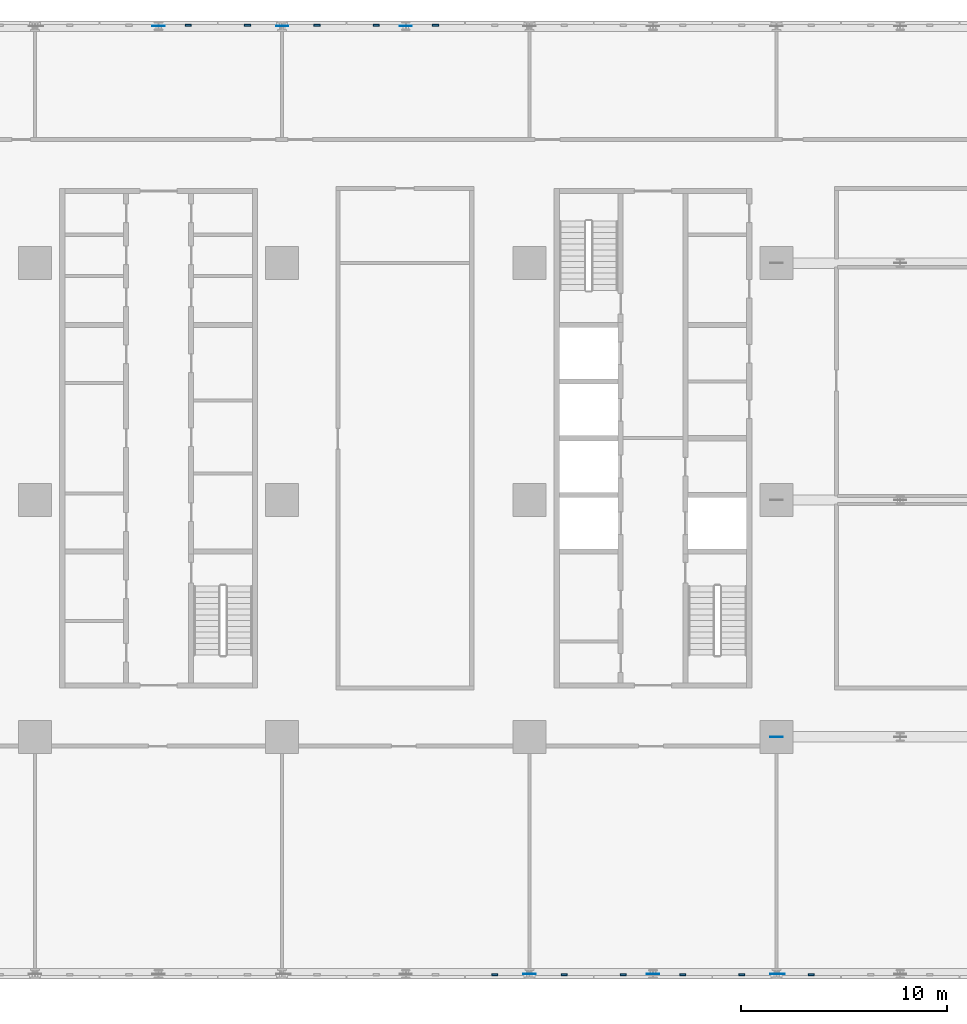
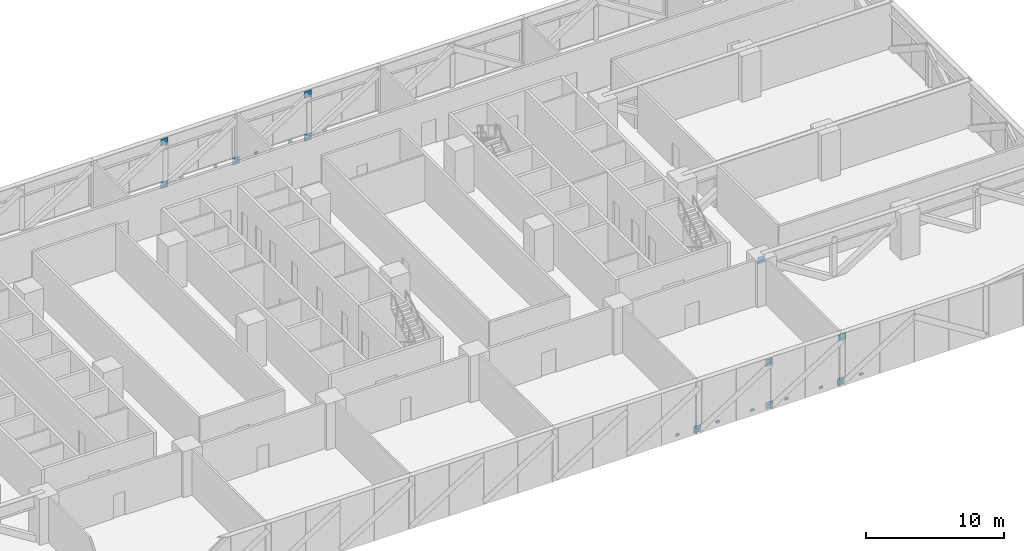
# One storey, part 17 of 25: 22 discrete accessories.
"""IFC4 building model written with IfcOpenShell, lengths in metres."""

from ifc_helpers import new_model, si_unit, direction, frame, origin, origin_2d, place, context, subcontext, project, spatial, rectangle, extrude, material, layer, layer_set, type_object, element, save


model = new_model("IFC4")

# Units and contexts
model_context = context("Model", 3, precision=1e-05, world=origin(), true_north=direction((0.0, 1.0)))
body_context = subcontext(model_context, "Body", "Model", "MODEL_VIEW")
ifc_project = project(units=[si_unit("LENGTHUNIT", "METRE"), si_unit("AREAUNIT", "SQUARE_METRE"), si_unit("VOLUMEUNIT", "CUBIC_METRE"), si_unit("PLANEANGLEUNIT", "RADIAN"), si_unit("MASSUNIT", "GRAM", prefix="KILO")], contexts=[model_context])

# Site, building, storey
site_placement = place(None, origin())
site = spatial("IfcSite", under=ifc_project, at=site_placement, CompositionType="ELEMENT")
building_placement = place(site_placement, origin())
building = spatial("IfcBuilding", under=site, at=building_placement, Name="Mahtab Terrace Research Tower", CompositionType="ELEMENT")
storey_placement = place(building_placement, frame((0.0, 0.0, 41.60009765625)))
storey = spatial("IfcBuildingStorey", under=building, at=storey_placement, Name="L09", CompositionType="ELEMENT", Elevation=41.60009765625)

# Discrete accessories
ifc_material_1 = material(Name="Black anodised aluminium", Category="aluminium")
discrete_accessory_type_1 = type_object("IfcDiscreteAccessoryType", Name="Facade bracket", PredefinedType="BRACKET", material=ifc_material_1)
for number, where, z_axis, x_axis, name in (
    (1, (13.437744140625, 23.044921875, -0.30029296875), (0.0, 0.0, 1.0), (-1.0, 0.0, 0.0), "Louvre bracket L09 34"),
    (2, (10.562255859375, 23.044921875, -0.30029296875), (0.0, 0.0, 1.0), (-1.0, 0.0, 0.0), "Louvre bracket L09 35"),
    (3, (7.686767578125, 23.044921875, -0.30029296875), (0.0, 0.0, 1.0), (-1.0, 0.0, 0.0), "Louvre bracket L09 36"),
    (4, (4.313232421875, 23.044921875, -0.30029296875), (0.0, 0.0, 1.0), (-1.0, 0.0, 0.0), "Louvre bracket L09 37"),
    (5, (1.437744140625, 23.044921875, -0.30029296875), (0.0, 0.0, 1.0), (-1.0, 0.0, 0.0), "Louvre bracket L09 38"),
    (6, (16.313232421875, -23.044921875, -0.30029296875), (0.0, 0.0, 1.0), (1.0, 0.0, 0.0), "Louvre bracket L09 91"),
    (7, (19.686767578125, -23.044921875, -0.30029296875), (0.0, 0.0, 1.0), (1.0, 0.0, 0.0), "Louvre bracket L09 92"),
    (8, (22.562255859375, -23.044921875, -0.30029296875), (0.0, 0.0, 1.0), (1.0, 0.0, 0.0), "Louvre bracket L09 93"),
    (9, (25.437744140625, -23.044921875, -0.30029296875), (0.0, 0.0, 1.0), (1.0, 0.0, 0.0), "Louvre bracket L09 94"),
    (10, (28.313232421875, -23.044921875, -0.30029296875), (0.0, 0.0, 1.0), (1.0, 0.0, 0.0), "Louvre bracket L09 95"),
    (11, (31.686767578125, -23.044921875, -0.30029296875), (0.0, 0.0, 1.0), (1.0, 0.0, 0.0), "Louvre bracket L09 96"),
):
    element("IfcDiscreteAccessory", number, at=place(storey_placement, frame(where, z_axis=z_axis, x_axis=x_axis)), inside=storey, type_object=discrete_accessory_type_1, Name=name, PredefinedType="BRACKET", context=body_context, shape_type="SweptSolid", body=[
        extrude(rectangle(XDim=0.300048828125, YDim=0.090087890625, at=origin_2d()), origin(), (0.0, 0.0, 1.0), 0.199951171875),
    ])
ifc_material_2 = material(Name="Steel ASTM A992 Gr 50", Category="steel")
ifc_layer = layer(ifc_material_2, 0.030029296875)
ifc_layer_set = layer_set([ifc_layer], Name="Gusset plate 600x600x30")
discrete_accessory_type_2 = type_object("IfcDiscreteAccessoryType", Name="Gusset plate 600x600x30", PredefinedType="USERDEFINED", material=ifc_layer_set)
for number, where, z_axis, x_axis, name in (
    (12, (0.0, 23.0, -0.575927734375), (0.0, 0.0, 1.0), (1.0, 0.0, 0.0), "Gusset plate"),
    (13, (0.0, 23.0, 3.201171875), (0.0, 0.0, 1.0), (1.0, 0.0, 0.0), "Gusset plate"),
    (14, (6.0, 23.0, -0.575927734375), (0.0, 0.0, 1.0), (1.0, 0.0, 0.0), "Gusset plate"),
    (15, (12.0, 23.0, -0.575927734375), (0.0, 0.0, 1.0), (1.0, 0.0, 0.0), "Gusset plate"),
    (16, (12.0, 23.0, 3.201171875), (0.0, 0.0, 1.0), (1.0, 0.0, 0.0), "Gusset plate"),
    (17, (18.0, -23.0, -0.575927734375), (0.0, 0.0, 1.0), (1.0, 0.0, 0.0), "Gusset plate"),
    (18, (24.0, -23.0, -0.575927734375), (0.0, 0.0, 1.0), (1.0, 0.0, 0.0), "Gusset plate"),
    (19, (24.0, -23.0, 3.201171875), (0.0, 0.0, 1.0), (1.0, 0.0, 0.0), "Gusset plate"),
    (20, (30.0, -23.0, -0.575927734375), (0.0, 0.0, 1.0), (1.0, 0.0, 0.0), "Gusset plate"),
    (21, (30.10595703125, -23.0, 3.329345703125), (0.0, 0.0, 1.0), (1.0, 0.0, 0.0), "Gusset plate"),
    (22, (30.0, -11.5, 3.201171875), (0.0, 0.0, 1.0), (1.0, 0.0, 0.0), "Gusset plate"),
):
    element("IfcDiscreteAccessory", number, at=place(storey_placement, frame(where, z_axis=z_axis, x_axis=x_axis)), inside=storey, type_object=discrete_accessory_type_2, Name=name, ObjectType="GUSSET PLATE", PredefinedType="USERDEFINED", context=body_context, shape_type="SweptSolid", body=[
        extrude(rectangle(XDim=0.60009765625, YDim=0.030029296875, at=origin_2d()), origin(), (0.0, 0.0, 1.0), 0.60009765625),
    ])

save(model, "model.ifc")
